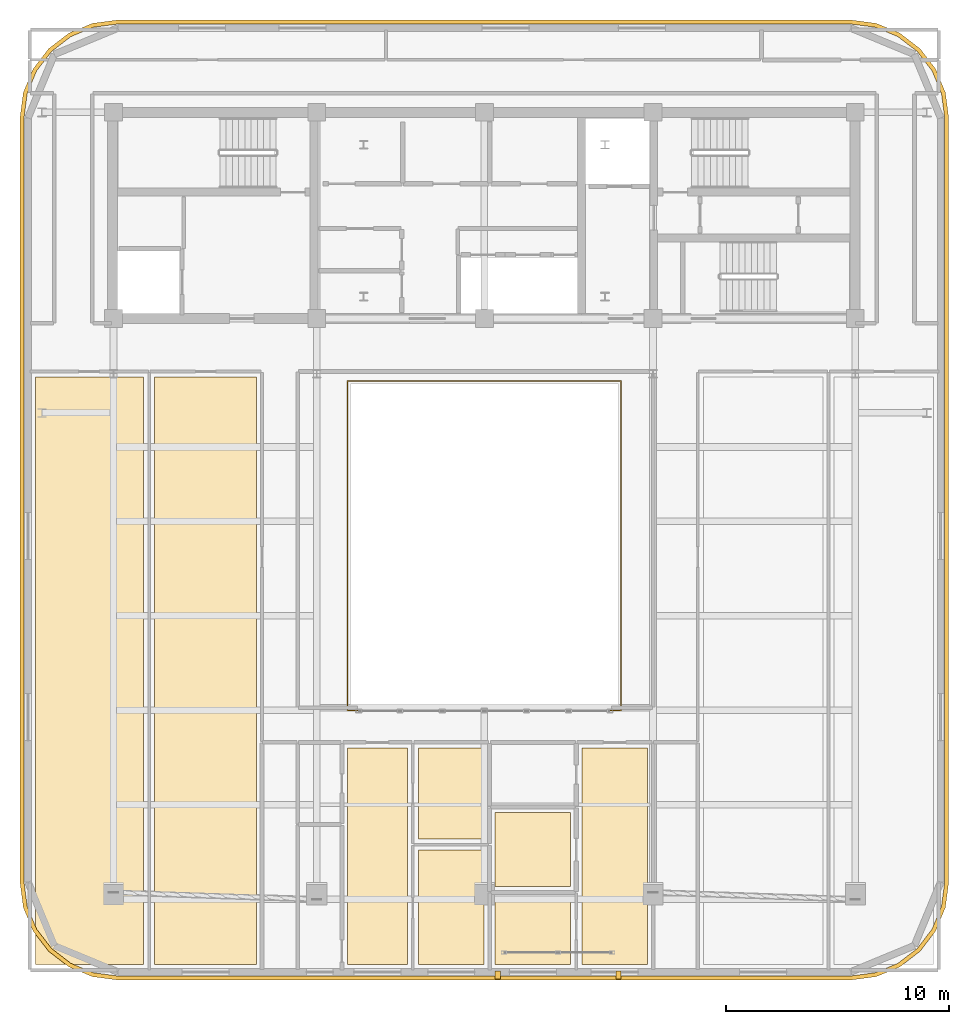
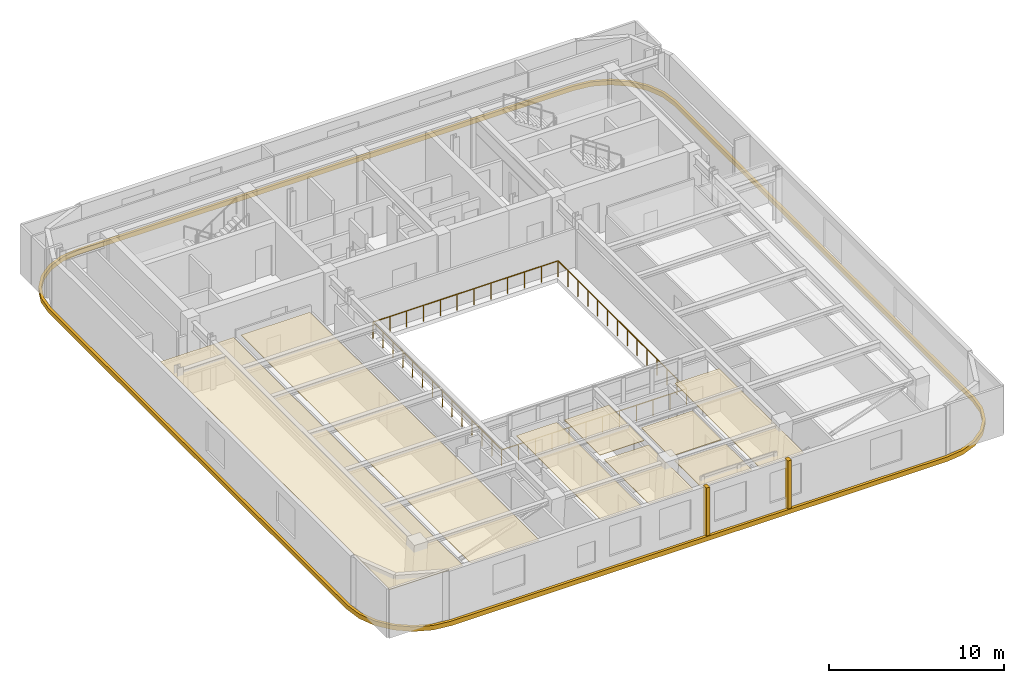
# One storey, part 10 of 12: 11 coverings, 1 railing.
"""IFC4 building model written with IfcOpenShell, lengths in metres."""

from ifc_helpers import new_model, si_unit, direction, frame, origin, origin_2d, place, context, subcontext, project, spatial, polyline, rectangle, outline, extrude, material, layer, layer_set, type_object, element, save


model = new_model("IFC4")

# Units and contexts
model_context = context("Model", 3, precision=1e-05, world=origin(), true_north=direction((0.0, 1.0)))
body_context = subcontext(model_context, "Body", "Model", "MODEL_VIEW")
ifc_project = project(units=[si_unit("LENGTHUNIT", "METRE"), si_unit("AREAUNIT", "SQUARE_METRE"), si_unit("VOLUMEUNIT", "CUBIC_METRE"), si_unit("PLANEANGLEUNIT", "RADIAN"), si_unit("MASSUNIT", "GRAM", prefix="KILO")], contexts=[model_context])

# Site, building, storey
site_placement = place(None, origin())
site = spatial("IfcSite", under=ifc_project, at=site_placement, CompositionType="ELEMENT")
building_placement = place(site_placement, origin())
building = spatial("IfcBuilding", under=site, at=building_placement, Name="Zarnavel Station Tower", CompositionType="ELEMENT")
storey_placement = place(building_placement, frame((0.0, 0.0, 265.800048828125)))
storey = spatial("IfcBuildingStorey", under=building, at=storey_placement, Name="L72", CompositionType="ELEMENT", Elevation=265.800048828125)

# Coverings
ifc_material_1 = material(Name="Perforated Gypsum and Mineral-Wool Acoustic Ceiling", Category="concrete")
ifc_layer = layer(ifc_material_1, 0.0400390625)
ifc_layer_set = layer_set([ifc_layer], Name="COV_CEIL_ACOUSTIC")
covering_type_1 = type_object("IfcCoveringType", Name="COV_CEIL_ACOUSTIC", PredefinedType="CEILING", material=ifc_layer_set)
covering_1_placement = place(storey_placement, frame((0.0, 0.0, 3.099853515625)))
element("IfcCovering", 1, at=covering_1_placement, inside=storey, type_object=covering_type_1, Name="L72 L71GAL Acoustic Ceiling", PredefinedType="CEILING", context=body_context, shape_type="SweptSolid", body=[
    extrude(outline(polyline([(8.7099609375, -1.090087890625), (13.550048828125, -1.090087890625), (13.550048828125, 25.199951171875), (8.7099609375, 25.199951171875), (8.7099609375, -1.090087890625)])), origin(), (0.0, 0.0, 1.0), 0.0400390625),
])
covering_2_placement = place(storey_placement, frame((0.0, 0.0, 3.099853515625)))
element("IfcCovering", 2, at=covering_2_placement, inside=storey, type_object=covering_type_1, Name="L72 L71GYM Acoustic Ceiling", PredefinedType="CEILING", context=body_context, shape_type="SweptSolid", body=[
    extrude(outline(polyline([(14.050048828125, -1.090087890625), (18.60009765625, -1.090087890625), (18.60009765625, 25.199951171875), (14.050048828125, 25.199951171875), (14.050048828125, -1.090087890625)])), origin(), (0.0, 0.0, 1.0), 0.0400390625),
])
covering_3_placement = place(storey_placement, frame((0.0, 0.0, 3.099853515625)))
element("IfcCovering", 3, at=covering_3_placement, inside=storey, type_object=covering_type_1, Name="L72 US1ALV Acoustic Ceiling", PredefinedType="CEILING", context=body_context, shape_type="SweptSolid", body=[
    extrude(outline(polyline([(22.675048828125, -1.090087890625), (25.35205078125, -1.090087890625), (25.35205078125, 8.60009765625), (22.675048828125, 8.60009765625), (22.675048828125, -1.090087890625)])), origin(), (0.0, 0.0, 1.0), 0.0400390625),
])
covering_4_placement = place(storey_placement, frame((0.0, 0.0, 3.099853515625)))
element("IfcCovering", 4, at=covering_4_placement, inside=storey, type_object=covering_type_1, Name="L72 US1AB1 Acoustic Ceiling", PredefinedType="CEILING", context=body_context, shape_type="SweptSolid", body=[
    extrude(outline(polyline([(25.85205078125, -1.090087890625), (28.785888671875, -1.090087890625), (28.785888671875, 4.029052734375), (25.85205078125, 4.029052734375), (25.85205078125, -1.090087890625)])), origin(), (0.0, 0.0, 1.0), 0.0400390625),
])
covering_5_placement = place(storey_placement, frame((0.0, 0.0, 3.099853515625)))
element("IfcCovering", 5, at=covering_5_placement, inside=storey, type_object=covering_type_1, Name="L72 US1AB2 Acoustic Ceiling", PredefinedType="CEILING", context=body_context, shape_type="SweptSolid", body=[
    extrude(outline(polyline([(25.85205078125, 4.529052734375), (28.785888671875, 4.529052734375), (28.785888671875, 8.60009765625), (25.85205078125, 8.60009765625), (25.85205078125, 4.529052734375)])), origin(), (0.0, 0.0, 1.0), 0.0400390625),
])
covering_6_placement = place(storey_placement, frame((0.0, 0.0, 3.099853515625)))
element("IfcCovering", 6, at=covering_6_placement, inside=storey, type_object=covering_type_1, Name="L72 US1BLV Acoustic Ceiling", PredefinedType="CEILING", context=body_context, shape_type="SweptSolid", body=[
    extrude(outline(polyline([(33.162109375, -1.090087890625), (36.10009765625, -1.090087890625), (36.10009765625, 8.60009765625), (33.162109375, 8.60009765625), (33.162109375, -1.090087890625)])), origin(), (0.0, 0.0, 1.0), 0.0400390625),
])
covering_7_placement = place(storey_placement, frame((0.0, 0.0, 3.099853515625)))
element("IfcCovering", 7, at=covering_7_placement, inside=storey, type_object=covering_type_1, Name="L72 US1BB1 Acoustic Ceiling", PredefinedType="CEILING", context=body_context, shape_type="SweptSolid", body=[
    extrude(outline(polyline([(29.285888671875, -1.090087890625), (32.662109375, -1.090087890625), (32.662109375, 1.89306640625), (29.285888671875, 1.89306640625), (29.285888671875, -1.090087890625)])), origin(), (0.0, 0.0, 1.0), 0.0400390625),
])
covering_8_placement = place(storey_placement, frame((0.0, 0.0, 3.099853515625)))
element("IfcCovering", 8, at=covering_8_placement, inside=storey, type_object=covering_type_1, Name="L72 US1BKT Acoustic Ceiling", PredefinedType="CEILING", context=body_context, shape_type="SweptSolid", body=[
    extrude(outline(polyline([(29.285888671875, 2.39306640625), (32.662109375, 2.39306640625), (32.662109375, 5.716064453125), (29.285888671875, 5.716064453125), (29.285888671875, 2.39306640625)])), origin(), (0.0, 0.0, 1.0), 0.0400390625),
])
ifc_material_2 = material(Name="Precast concrete C45/55 (Pale Travertine Slab Band)", Category="masonry")
covering_type_2 = type_object("IfcCoveringType", Name="COV_TRAVERTINE_BAND", PredefinedType="CLADDING", material=ifc_material_2)
covering_9_placement = place(storey_placement, frame((0.0, 0.0, -0.260009765625)))
element("IfcCovering", 9, at=covering_9_placement, inside=storey, type_object=covering_type_2, Name="L72 Pale Travertine Slab-Edge Band", PredefinedType="CLADDING", context=body_context, shape_type="SweptSolid", body=[
    extrude(outline(polyline([(45.199951171875, -1.780029296875), (46.33349609375, -1.630859375), (47.389892578125, -1.193115234375), (48.297119140625, -0.4970703125), (48.9931640625, 0.409912109375), (49.430908203125, 1.46630859375), (49.580078125, 2.60009765625), (49.580078125, 36.800048828125), (49.430908203125, 37.93359375), (48.9931640625, 38.989990234375), (48.297119140625, 39.897216796875), (47.389892578125, 40.59326171875), (46.33349609375, 41.03076171875), (45.199951171875, 41.179931640625), (12.39990234375, 41.179931640625), (11.266357421875, 41.03076171875), (10.2099609375, 40.59326171875), (9.302978515625, 39.897216796875), (8.606689453125, 38.989990234375), (8.169189453125, 37.93359375), (8.02001953125, 36.800048828125), (8.02001953125, 2.60009765625), (8.169189453125, 1.46630859375), (8.606689453125, 0.409912109375), (9.302978515625, -0.4970703125), (10.2099609375, -1.193115234375), (11.266357421875, -1.630859375), (12.39990234375, -1.780029296875), (45.199951171875, -1.780029296875)]), holes=[polyline([(45.199951171875, -1.60009765625), (46.287109375, -1.456787109375), (47.300048828125, -1.037353515625), (48.169921875, -0.369873046875), (48.83740234375, 0.5), (49.2568359375, 1.512939453125), (49.39990234375, 2.60009765625), (49.39990234375, 36.800048828125), (49.2568359375, 37.886962890625), (48.83740234375, 38.89990234375), (48.169921875, 39.769775390625), (47.300048828125, 40.437255859375), (46.287109375, 40.85693359375), (45.199951171875, 41.0), (12.39990234375, 41.0), (11.31298828125, 40.85693359375), (10.300048828125, 40.437255859375), (9.43017578125, 39.769775390625), (8.7626953125, 38.89990234375), (8.343017578125, 37.886962890625), (8.199951171875, 36.800048828125), (8.199951171875, 2.60009765625), (8.343017578125, 1.512939453125), (8.7626953125, 0.5), (9.43017578125, -0.369873046875), (10.300048828125, -1.037353515625), (11.31298828125, -1.456787109375), (12.39990234375, -1.60009765625), (45.199951171875, -1.60009765625)])]), origin(), (0.0, 0.0, 1.0), 0.320068359375),
])
for number, where, z_axis, x_axis, name in (
    (10, (29.39990234375, -1.550048828125, 0.0), (0.0, 0.0, 1.0), (1.0, 0.0, 0.0), "L72 Travertine Portal Loggia Vertical Jog West"),
    (11, (34.800048828125, -1.550048828125, 0.0), (0.0, 0.0, 1.0), (1.0, 0.0, 0.0), "L72 Travertine Portal Loggia Vertical Jog East"),
):
    element("IfcCovering", number, at=place(storey_placement, frame(where, z_axis=z_axis, x_axis=x_axis)), inside=storey, type_object=covering_type_2, Name=name, PredefinedType="CLADDING", context=body_context, shape_type="SweptSolid", body=[
        extrude(rectangle(XDim=0.239990234375, YDim=0.360107421875, at=origin_2d()), origin(), (0.0, 0.0, 1.0), 3.419921875),
    ])

# Railing
ifc_material_3 = material(Name="Painted Steel S355J2 Balustrade", Category="steel")
railing_type = type_object("IfcRailingType", Name="GR_INT_1150", PredefinedType="GUARDRAIL", material=ifc_material_3)
railing_placement = place(storey_placement, frame((22.679931640625, 10.280029296875, 0.0)))
element("IfcRailing", 12, at=railing_placement, inside=storey, type_object=railing_type, Name="L72 Atrium Void Guardrail", PredefinedType="GUARDRAIL", context=body_context, shape_type="SweptSolid", body=[
    extrude(rectangle(XDim=0.048095703125, YDim=0.048095703125, at=origin_2d()), frame((0.001953125, 0.0, 1.1259765625), z_axis=(1.0, 0.0, 0.0), x_axis=(0.0, 1.0, 0.0)), (0.0, 0.0, 1.0), 12.236083984375),
    extrude(rectangle(XDim=0.048095703125, YDim=0.048095703125, at=origin_2d()), frame((12.239990234375, 0.001953125, 1.1259765625), z_axis=(0.0, 1.0, 0.0), x_axis=(-1.0, 0.0, 0.0)), (0.0, 0.0, 1.0), 14.736083984375),
    extrude(rectangle(XDim=0.048095703125, YDim=0.048095703125, at=origin_2d()), frame((12.238037109375, 14.739990234375, 1.1259765625), z_axis=(-1.0, 0.0, 0.0), x_axis=(0.0, -1.0, 0.0)), (0.0, 0.0, 1.0), 12.236083984375),
    extrude(rectangle(XDim=0.048095703125, YDim=0.048095703125, at=origin_2d()), frame((0.0, 14.738037109375, 1.1259765625), z_axis=(0.0, -1.0, 0.0), x_axis=(1.0, 0.0, 0.0)), (0.0, 0.0, 1.0), 14.736083984375),
    extrude(rectangle(XDim=0.0419921875, YDim=0.0419921875, at=origin_2d()), origin(), (0.0, 0.0, 1.0), 1.101806640625),
    extrude(rectangle(XDim=0.0419921875, YDim=0.0419921875, at=origin_2d()), frame((1.11279296875, 0.0, 0.0)), (0.0, 0.0, 1.0), 1.101806640625),
    extrude(rectangle(XDim=0.0419921875, YDim=0.0419921875, at=origin_2d()), frame((2.225341796875, 0.0, 0.0)), (0.0, 0.0, 1.0), 1.101806640625),
    extrude(rectangle(XDim=0.0419921875, YDim=0.0419921875, at=origin_2d()), frame((3.338134765625, 0.0, 0.0)), (0.0, 0.0, 1.0), 1.101806640625),
    extrude(rectangle(XDim=0.0419921875, YDim=0.0419921875, at=origin_2d()), frame((4.450927734375, 0.0, 0.0)), (0.0, 0.0, 1.0), 1.101806640625),
    extrude(rectangle(XDim=0.0419921875, YDim=0.0419921875, at=origin_2d()), frame((5.563720703125, 0.0, 0.0)), (0.0, 0.0, 1.0), 1.101806640625),
    extrude(rectangle(XDim=0.0419921875, YDim=0.0419921875, at=origin_2d()), frame((6.67626953125, 0.0, 0.0)), (0.0, 0.0, 1.0), 1.101806640625),
    extrude(rectangle(XDim=0.0419921875, YDim=0.0419921875, at=origin_2d()), frame((7.7890625, 0.0, 0.0)), (0.0, 0.0, 1.0), 1.101806640625),
    extrude(rectangle(XDim=0.0419921875, YDim=0.0419921875, at=origin_2d()), frame((8.90185546875, 0.0, 0.0)), (0.0, 0.0, 1.0), 1.101806640625),
    extrude(rectangle(XDim=0.0419921875, YDim=0.0419921875, at=origin_2d()), frame((10.0146484375, 0.0, 0.0)), (0.0, 0.0, 1.0), 1.101806640625),
    extrude(rectangle(XDim=0.0419921875, YDim=0.0419921875, at=origin_2d()), frame((11.127197265625, 0.0, 0.0)), (0.0, 0.0, 1.0), 1.101806640625),
    extrude(rectangle(XDim=0.0419921875, YDim=0.0419921875, at=origin_2d()), frame((12.239990234375, 0.0, 0.0)), (0.0, 0.0, 1.0), 1.101806640625),
    extrude(rectangle(XDim=0.0419921875, YDim=0.0419921875, at=origin_2d()), frame((12.239990234375, 1.1337890625, 0.0)), (0.0, 0.0, 1.0), 1.101806640625),
    extrude(rectangle(XDim=0.0419921875, YDim=0.0419921875, at=origin_2d()), frame((12.239990234375, 2.267578125, 0.0)), (0.0, 0.0, 1.0), 1.101806640625),
    extrude(rectangle(XDim=0.0419921875, YDim=0.0419921875, at=origin_2d()), frame((12.239990234375, 3.401611328125, 0.0)), (0.0, 0.0, 1.0), 1.101806640625),
    extrude(rectangle(XDim=0.0419921875, YDim=0.0419921875, at=origin_2d()), frame((12.239990234375, 4.535400390625, 0.0)), (0.0, 0.0, 1.0), 1.101806640625),
    extrude(rectangle(XDim=0.0419921875, YDim=0.0419921875, at=origin_2d()), frame((12.239990234375, 5.669189453125, 0.0)), (0.0, 0.0, 1.0), 1.101806640625),
    extrude(rectangle(XDim=0.0419921875, YDim=0.0419921875, at=origin_2d()), frame((12.239990234375, 6.802978515625, 0.0)), (0.0, 0.0, 1.0), 1.101806640625),
    extrude(rectangle(XDim=0.0419921875, YDim=0.0419921875, at=origin_2d()), frame((12.239990234375, 7.93701171875, 0.0)), (0.0, 0.0, 1.0), 1.101806640625),
    extrude(rectangle(XDim=0.0419921875, YDim=0.0419921875, at=origin_2d()), frame((12.239990234375, 9.07080078125, 0.0)), (0.0, 0.0, 1.0), 1.101806640625),
    extrude(rectangle(XDim=0.0419921875, YDim=0.0419921875, at=origin_2d()), frame((12.239990234375, 10.20458984375, 0.0)), (0.0, 0.0, 1.0), 1.101806640625),
    extrude(rectangle(XDim=0.0419921875, YDim=0.0419921875, at=origin_2d()), frame((12.239990234375, 11.33837890625, 0.0)), (0.0, 0.0, 1.0), 1.101806640625),
    extrude(rectangle(XDim=0.0419921875, YDim=0.0419921875, at=origin_2d()), frame((12.239990234375, 12.472412109375, 0.0)), (0.0, 0.0, 1.0), 1.101806640625),
    extrude(rectangle(XDim=0.0419921875, YDim=0.0419921875, at=origin_2d()), frame((12.239990234375, 13.606201171875, 0.0)), (0.0, 0.0, 1.0), 1.101806640625),
    extrude(rectangle(XDim=0.0419921875, YDim=0.0419921875, at=origin_2d()), frame((12.239990234375, 14.739990234375, 0.0)), (0.0, 0.0, 1.0), 1.101806640625),
    extrude(rectangle(XDim=0.0419921875, YDim=0.0419921875, at=origin_2d()), frame((11.127197265625, 14.739990234375, 0.0)), (0.0, 0.0, 1.0), 1.101806640625),
    extrude(rectangle(XDim=0.0419921875, YDim=0.0419921875, at=origin_2d()), frame((10.0146484375, 14.739990234375, 0.0)), (0.0, 0.0, 1.0), 1.101806640625),
    extrude(rectangle(XDim=0.0419921875, YDim=0.0419921875, at=origin_2d()), frame((8.90185546875, 14.739990234375, 0.0)), (0.0, 0.0, 1.0), 1.101806640625),
    extrude(rectangle(XDim=0.0419921875, YDim=0.0419921875, at=origin_2d()), frame((7.7890625, 14.739990234375, 0.0)), (0.0, 0.0, 1.0), 1.101806640625),
    extrude(rectangle(XDim=0.0419921875, YDim=0.0419921875, at=origin_2d()), frame((6.67626953125, 14.739990234375, 0.0)), (0.0, 0.0, 1.0), 1.101806640625),
    extrude(rectangle(XDim=0.0419921875, YDim=0.0419921875, at=origin_2d()), frame((5.563720703125, 14.739990234375, 0.0)), (0.0, 0.0, 1.0), 1.101806640625),
    extrude(rectangle(XDim=0.0419921875, YDim=0.0419921875, at=origin_2d()), frame((4.450927734375, 14.739990234375, 0.0)), (0.0, 0.0, 1.0), 1.101806640625),
    extrude(rectangle(XDim=0.0419921875, YDim=0.0419921875, at=origin_2d()), frame((3.338134765625, 14.739990234375, 0.0)), (0.0, 0.0, 1.0), 1.101806640625),
    extrude(rectangle(XDim=0.0419921875, YDim=0.0419921875, at=origin_2d()), frame((2.225341796875, 14.739990234375, 0.0)), (0.0, 0.0, 1.0), 1.101806640625),
    extrude(rectangle(XDim=0.0419921875, YDim=0.0419921875, at=origin_2d()), frame((1.11279296875, 14.739990234375, 0.0)), (0.0, 0.0, 1.0), 1.101806640625),
    extrude(rectangle(XDim=0.0419921875, YDim=0.0419921875, at=origin_2d()), frame((0.0, 14.739990234375, 0.0)), (0.0, 0.0, 1.0), 1.101806640625),
    extrude(rectangle(XDim=0.0419921875, YDim=0.0419921875, at=origin_2d()), frame((0.0, 13.606201171875, 0.0)), (0.0, 0.0, 1.0), 1.101806640625),
    extrude(rectangle(XDim=0.0419921875, YDim=0.0419921875, at=origin_2d()), frame((0.0, 12.472412109375, 0.0)), (0.0, 0.0, 1.0), 1.101806640625),
    extrude(rectangle(XDim=0.0419921875, YDim=0.0419921875, at=origin_2d()), frame((0.0, 11.33837890625, 0.0)), (0.0, 0.0, 1.0), 1.101806640625),
    extrude(rectangle(XDim=0.0419921875, YDim=0.0419921875, at=origin_2d()), frame((0.0, 10.20458984375, 0.0)), (0.0, 0.0, 1.0), 1.101806640625),
    extrude(rectangle(XDim=0.0419921875, YDim=0.0419921875, at=origin_2d()), frame((0.0, 9.07080078125, 0.0)), (0.0, 0.0, 1.0), 1.101806640625),
    extrude(rectangle(XDim=0.0419921875, YDim=0.0419921875, at=origin_2d()), frame((0.0, 7.93701171875, 0.0)), (0.0, 0.0, 1.0), 1.101806640625),
    extrude(rectangle(XDim=0.0419921875, YDim=0.0419921875, at=origin_2d()), frame((0.0, 6.802978515625, 0.0)), (0.0, 0.0, 1.0), 1.101806640625),
    extrude(rectangle(XDim=0.0419921875, YDim=0.0419921875, at=origin_2d()), frame((0.0, 5.669189453125, 0.0)), (0.0, 0.0, 1.0), 1.101806640625),
    extrude(rectangle(XDim=0.0419921875, YDim=0.0419921875, at=origin_2d()), frame((0.0, 4.535400390625, 0.0)), (0.0, 0.0, 1.0), 1.101806640625),
    extrude(rectangle(XDim=0.0419921875, YDim=0.0419921875, at=origin_2d()), frame((0.0, 3.401611328125, 0.0)), (0.0, 0.0, 1.0), 1.101806640625),
    extrude(rectangle(XDim=0.0419921875, YDim=0.0419921875, at=origin_2d()), frame((0.0, 2.267578125, 0.0)), (0.0, 0.0, 1.0), 1.101806640625),
    extrude(rectangle(XDim=0.0419921875, YDim=0.0419921875, at=origin_2d()), frame((0.0, 1.1337890625, 0.0)), (0.0, 0.0, 1.0), 1.101806640625),
])

save(model, "model.ifc")
